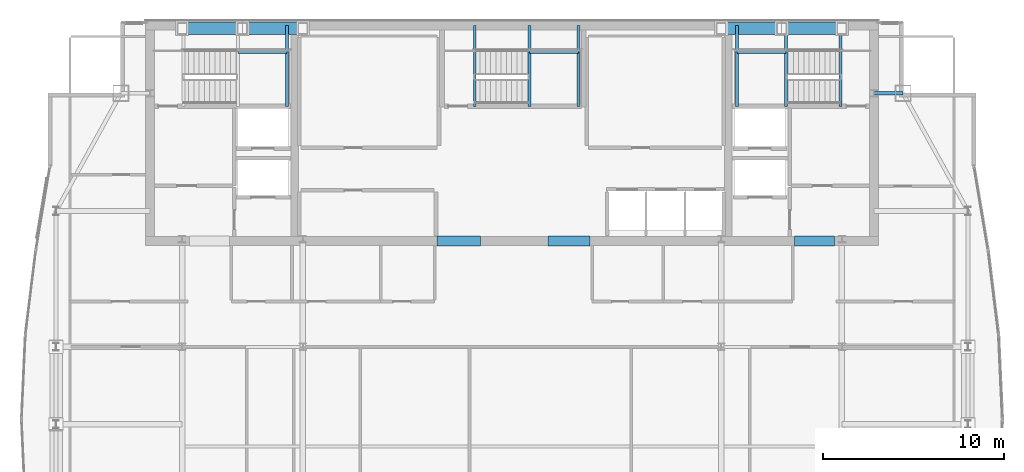
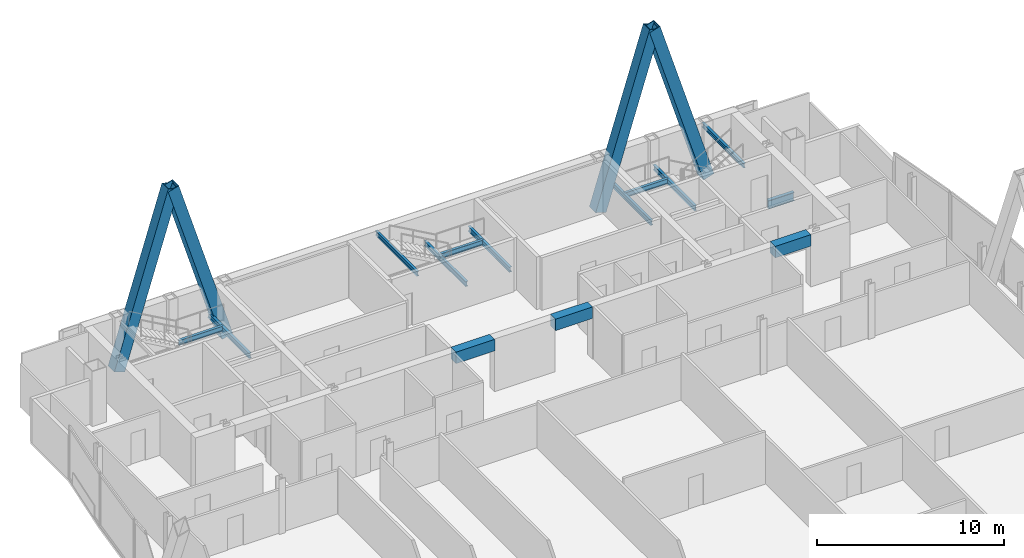
# One storey, part 21 of 29: 14 beams, 4 members.
"""IFC4 building model written with IfcOpenShell, lengths in metres."""

from ifc_helpers import new_model, si_unit, direction, frame, origin, origin_2d, place, context, subcontext, project, spatial, rectangle, hollow_rectangle, i_section, extrude, material, material_profile, profile_set, type_object, element, save


model = new_model("IFC4")

# Units and contexts
model_context = context("Model", 3, precision=1e-05, world=origin(), true_north=direction((0.0, 1.0)))
body_context = subcontext(model_context, "Body", "Model", "MODEL_VIEW")
ifc_project = project(units=[si_unit("LENGTHUNIT", "METRE"), si_unit("AREAUNIT", "SQUARE_METRE"), si_unit("VOLUMEUNIT", "CUBIC_METRE"), si_unit("PLANEANGLEUNIT", "RADIAN"), si_unit("MASSUNIT", "GRAM", prefix="KILO")], contexts=[model_context])

# Site, building, storey
site_placement = place(None, origin())
site = spatial("IfcSite", under=ifc_project, at=site_placement, CompositionType="ELEMENT")
building_placement = place(site_placement, origin())
building = spatial("IfcBuilding", under=site, at=building_placement, Name="Khoronbel Lancet Exchange", CompositionType="ELEMENT")
storey_placement = place(building_placement, frame((0.0, 0.0, 336.199951171875)))
storey = spatial("IfcBuildingStorey", under=building, at=storey_placement, Name="L87", CompositionType="ELEMENT", Elevation=336.199951171875)

# Beams
ifc_material_1 = material(Name="Steel S355", Category="steel")
ifc_material_profile_1 = material_profile(ifc_material_1, i_section(OverallWidth=0.159912109375, OverallDepth=0.330078125, WebThickness=0.007568359375, FlangeThickness=0.011474609375, at=origin_2d()), Name="IPE 330")
ifc_profile_set_1 = profile_set([ifc_material_profile_1], Name="Steel S355")
beam_type_1 = type_object("IfcBeamType", Name="BM-BJ7", PredefinedType="JOIST", material=ifc_profile_set_1)
beam_1_placement = place(storey_placement, frame((24.030029296875, 48.97998046875, 1.43505859375), z_axis=(0.0, 1.0, 0.0), x_axis=(-1.0, 0.0, 0.0)))
element("IfcBeam", 1, at=beam_1_placement, inside=storey, type_object=beam_type_1, Name="Level L87 stair ST1 rear landing bearer beam 1", PredefinedType="JOIST", context=body_context, shape_type="SweptSolid", body=[
    extrude(i_section(OverallWidth=0.159912109375, OverallDepth=0.330078125, WebThickness=0.007568359375, FlangeThickness=0.011474609375, at=origin_2d()), origin(), (0.0, 0.0, 1.0), 4.469970703125),
])
beam_2_placement = place(storey_placement, frame((21.320068359375, 51.97998046875, 1.43505859375), z_axis=(1.0, 0.0, 0.0), x_axis=(0.0, 1.0, 0.0)))
element("IfcBeam", 2, at=beam_2_placement, inside=storey, type_object=beam_type_1, Name="Level L87 stair ST1 landing cross trimmer beam 1", PredefinedType="JOIST", context=body_context, shape_type="SweptSolid", body=[
    extrude(i_section(OverallWidth=0.159912109375, OverallDepth=0.330078125, WebThickness=0.007568359375, FlangeThickness=0.011474609375, at=origin_2d()), origin(), (0.0, 0.0, 1.0), 2.7099609375),
])
for number, where, z_axis, x_axis, name in (
    (3, (51.580078125, 48.97998046875, 1.43505859375), (0.0, 1.0, 0.0), (-1.0, 0.0, 0.0), "Level L87 stair ST2 landing bearer beam 1"),
    (4, (48.8701171875, 48.97998046875, 1.43505859375), (0.0, 1.0, 0.0), (-1.0, 0.0, 0.0), "Level L87 stair ST2 rear landing bearer beam 1"),
):
    element("IfcBeam", number, at=place(storey_placement, frame(where, z_axis=z_axis, x_axis=x_axis)), inside=storey, type_object=beam_type_1, Name=name, PredefinedType="JOIST", context=body_context, shape_type="SweptSolid", body=[
        extrude(i_section(OverallWidth=0.159912109375, OverallDepth=0.330078125, WebThickness=0.007568359375, FlangeThickness=0.011474609375, at=origin_2d()), origin(), (0.0, 0.0, 1.0), 4.469970703125),
    ])
beam_3_placement = place(storey_placement, frame((48.8701171875, 51.97998046875, 1.43505859375), z_axis=(1.0, 0.0, 0.0), x_axis=(0.0, 1.0, 0.0)))
element("IfcBeam", 5, at=beam_3_placement, inside=storey, type_object=beam_type_1, Name="Level L87 stair ST2 landing cross trimmer beam 1", PredefinedType="JOIST", context=body_context, shape_type="SweptSolid", body=[
    extrude(i_section(OverallWidth=0.159912109375, OverallDepth=0.330078125, WebThickness=0.007568359375, FlangeThickness=0.011474609375, at=origin_2d()), origin(), (0.0, 0.0, 1.0), 2.7099609375),
])
for number, where, z_axis, x_axis, name in (
    (6, (37.419921875, 48.97998046875, 1.43505859375), (0.0, 1.0, 0.0), (-1.0, 0.0, 0.0), "Level L87 stair ST3 landing bearer beam 1"),
    (7, (40.1298828125, 48.97998046875, 1.43505859375), (0.0, 1.0, 0.0), (-1.0, 0.0, 0.0), "Level L87 stair ST3 rear landing bearer beam 1"),
):
    element("IfcBeam", number, at=place(storey_placement, frame(where, z_axis=z_axis, x_axis=x_axis)), inside=storey, type_object=beam_type_1, Name=name, PredefinedType="JOIST", context=body_context, shape_type="SweptSolid", body=[
        extrude(i_section(OverallWidth=0.159912109375, OverallDepth=0.330078125, WebThickness=0.007568359375, FlangeThickness=0.011474609375, at=origin_2d()), origin(), (0.0, 0.0, 1.0), 4.469970703125),
    ])
beam_4_placement = place(storey_placement, frame((37.419921875, 51.97998046875, 1.43505859375), z_axis=(1.0, 0.0, 0.0), x_axis=(0.0, 1.0, 0.0)))
element("IfcBeam", 8, at=beam_4_placement, inside=storey, type_object=beam_type_1, Name="Level L87 stair ST3 landing cross trimmer beam 1", PredefinedType="JOIST", context=body_context, shape_type="SweptSolid", body=[
    extrude(i_section(OverallWidth=0.159912109375, OverallDepth=0.330078125, WebThickness=0.007568359375, FlangeThickness=0.011474609375, at=origin_2d()), origin(), (0.0, 0.0, 1.0), 2.7099609375),
])
ifc_material_profile_2 = material_profile(ifc_material_1, i_section(OverallWidth=0.14990234375, OverallDepth=0.300048828125, WebThickness=0.007080078125, FlangeThickness=0.0107421875, at=origin_2d()), Name="IPE 300")
ifc_profile_set_2 = profile_set([ifc_material_profile_2], Name="Steel S355")
beam_type_2 = type_object("IfcBeamType", Name="BM-BJ8", PredefinedType="JOIST", material=ifc_profile_set_2)
for number, where, z_axis, x_axis, name in (
    (9, (54.60009765625, 48.97998046875, 3.16015625), (0.0, 1.0, 0.0), (-1.0, 0.0, 0.0), "Level L87 stair ST2 upper-flight arrival trimmer beam"),
    (10, (34.39990234375, 48.97998046875, 3.16015625), (0.0, 1.0, 0.0), (-1.0, 0.0, 0.0), "Level L87 stair ST3 upper-flight arrival trimmer beam"),
):
    element("IfcBeam", number, at=place(storey_placement, frame(where, z_axis=z_axis, x_axis=x_axis)), inside=storey, type_object=beam_type_2, Name=name, PredefinedType="JOIST", context=body_context, shape_type="SweptSolid", body=[
        extrude(i_section(OverallWidth=0.14990234375, OverallDepth=0.300048828125, WebThickness=0.007080078125, FlangeThickness=0.0107421875, at=origin_2d()), origin(), (0.0, 0.0, 1.0), 4.469970703125),
    ])
ifc_material_2 = material(Name="Concrete C60/75", Category="concrete")
ifc_material_profile_3 = material_profile(ifc_material_2, rectangle(XDim=0.550048828125, YDim=0.75, at=origin_2d()), Name="RC 550x750")
ifc_profile_set_3 = profile_set([ifc_material_profile_3], Name="Concrete C60/75")
beam_type_3 = type_object("IfcBeamType", Name="BM-BL2", PredefinedType="LINTEL", material=ifc_profile_set_3)
beam_5_placement = place(storey_placement, frame((32.300048828125, 41.550048828125, 3.06494140625), z_axis=(1.0, 0.0, 0.0), x_axis=(0.0, 1.0, 0.0)))
element("IfcBeam", 11, at=beam_5_placement, inside=storey, type_object=beam_type_3, Name="Level L87 rear core coupling lintel L2", PredefinedType="LINTEL", context=body_context, shape_type="SweptSolid", body=[
    extrude(rectangle(XDim=0.550048828125, YDim=0.75, at=origin_2d()), origin(), (0.0, 0.0, 1.0), 2.39990234375),
])
beam_6_placement = place(storey_placement, frame((38.449951171875, 41.550048828125, 3.06494140625), z_axis=(1.0, 0.0, 0.0), x_axis=(0.0, 1.0, 0.0)))
element("IfcBeam", 12, at=beam_6_placement, inside=storey, type_object=beam_type_3, Name="Level L87 rear core coupling lintel L3", PredefinedType="LINTEL", context=body_context, shape_type="SweptSolid", body=[
    extrude(rectangle(XDim=0.550048828125, YDim=0.75, at=origin_2d()), origin(), (0.0, 0.0, 1.0), 2.300048828125),
])
beam_7_placement = place(storey_placement, frame((52.050048828125, 41.550048828125, 3.06494140625), z_axis=(1.0, 0.0, 0.0), x_axis=(0.0, 1.0, 0.0)))
element("IfcBeam", 13, at=beam_7_placement, inside=storey, type_object=beam_type_3, Name="Level L87 rear core coupling lintel L4", PredefinedType="LINTEL", context=body_context, shape_type="SweptSolid", body=[
    extrude(rectangle(XDim=0.550048828125, YDim=0.75, at=origin_2d()), origin(), (0.0, 0.0, 1.0), 2.199951171875),
])
ifc_material_profile_4 = material_profile(ifc_material_1, i_section(OverallWidth=0.2099609375, OverallDepth=0.550048828125, WebThickness=0.010986328125, FlangeThickness=0.01708984375, at=origin_2d()), Name="IPE 550")
ifc_profile_set_4 = profile_set([ifc_material_profile_4], Name="Steel S355")
beam_type_4 = type_object("IfcBeamType", Name="BM-BSP3", PredefinedType="SPANDREL", material=ifc_profile_set_4)
beam_8_placement = place(storey_placement, frame((58.050048828125, 49.699951171875, -0.43505859375), z_axis=(-1.0, 0.0, 0.0), x_axis=(0.0, -1.0, 0.0)))
element("IfcBeam", 14, at=beam_8_placement, inside=storey, type_object=beam_type_4, Name="Level L87 north flank tie spandrel SP21", PredefinedType="SPANDREL", context=body_context, shape_type="SweptSolid", body=[
    extrude(i_section(OverallWidth=0.2099609375, OverallDepth=0.550048828125, WebThickness=0.010986328125, FlangeThickness=0.01708984375, at=origin_2d()), origin(), (0.0, 0.0, 1.0), 1.60009765625),
])

# Members
ifc_material_3 = material(Name="Steel S460", Category="steel")
ifc_material_profile_5 = material_profile(ifc_material_3, hollow_rectangle(XDim=0.679931640625, YDim=0.679931640625, WallThickness=0.044921875, at=origin_2d()), Name="BOX 680x680x45")
ifc_profile_set_5 = profile_set([ifc_material_profile_5], Name="Steel S460")
member_type = type_object("IfcMemberType", Name="MEM-MB3", PredefinedType="BRACE", material=ifc_profile_set_5)
for number, where, z_axis, x_axis, name in (
    (15, (18.22509765625, 53.280029296875, 0.0), (0.295242108906, 0.0, 0.955422470496), (0.0, 1.0, 0.0), "Perimeter lancet brace tier 30 N-W-L"),
    (16, (24.89990234375, 53.280029296875, 0.0), (-0.295242108906, 0.0, 0.955422470496), (0.0, -1.0, 0.0), "Perimeter lancet brace tier 30 N-W-R"),
    (17, (48.0, 53.280029296875, 0.0), (0.295242108906, 0.0, 0.955422470496), (0.0, 1.0, 0.0), "Perimeter lancet brace tier 30 N-E-L"),
    (18, (54.675048828125, 53.280029296875, 0.0), (-0.295261823895, 0.0, 0.955416378), (0.0, -1.0, 0.0), "Perimeter lancet brace tier 30 N-E-R"),
):
    element("IfcMember", number, at=place(storey_placement, frame(where, z_axis=z_axis, x_axis=x_axis)), inside=storey, type_object=member_type, Name=name, PredefinedType="BRACE", context=body_context, shape_type="SweptSolid", body=[
        extrude(hollow_rectangle(XDim=0.679931640625, YDim=0.679931640625, WallThickness=0.044921875, at=origin_2d()), origin(), (0.0, 0.0, 1.0), 11.303955078125),
    ])

save(model, "model.ifc")
